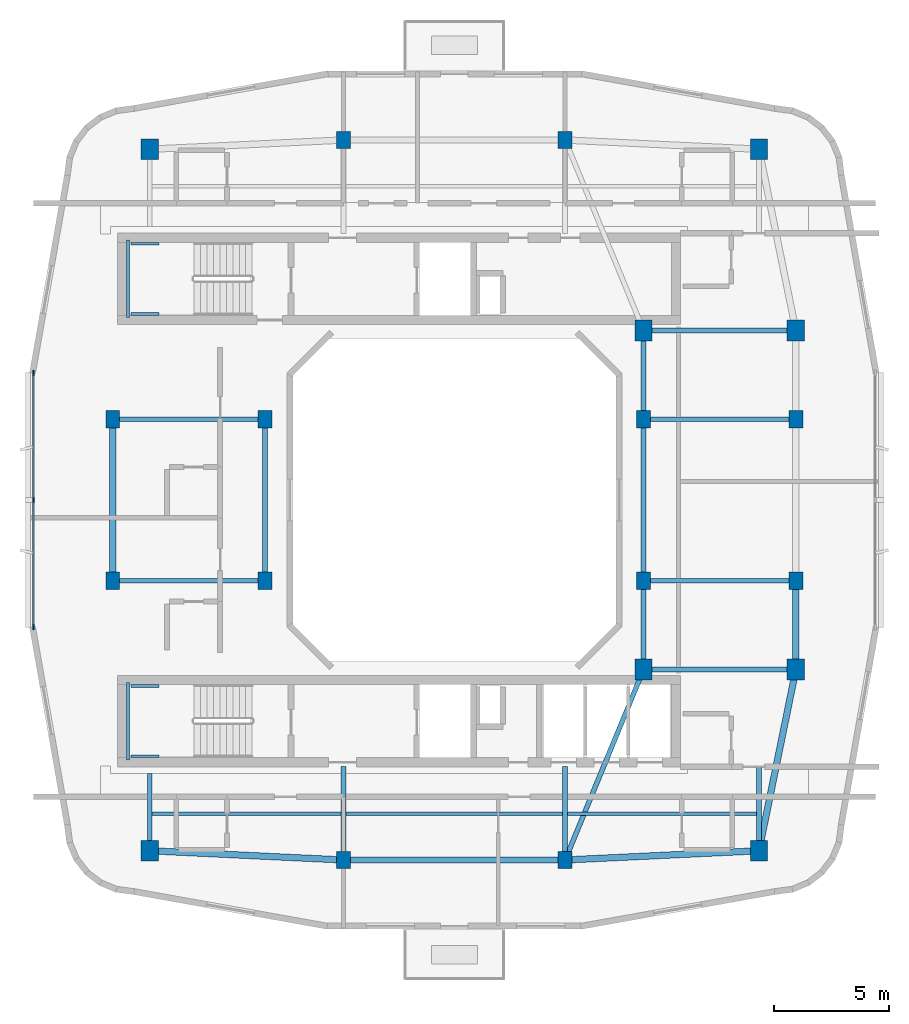
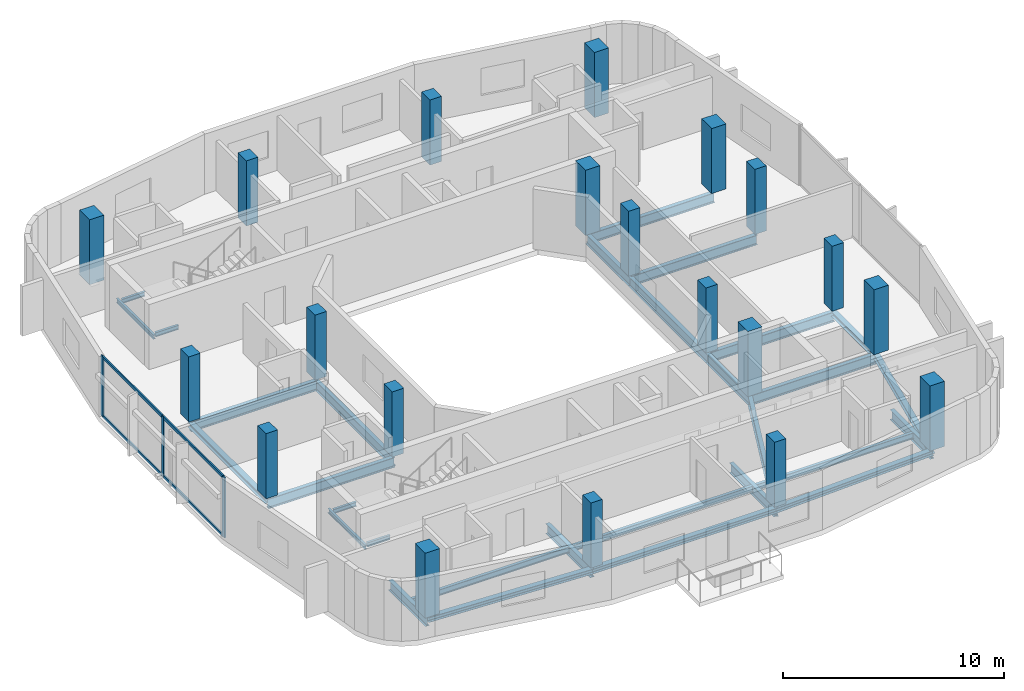
# One storey, part 1 of 10: 30 beams, 20 columns, 7 members, 1 element without a shape of its own.
"""IFC4 building model written with IfcOpenShell, lengths in metres."""

from ifc_helpers import new_model, si_unit, derived_unit, direction, frame, origin, origin_2d, place, context, subcontext, project, spatial, rectangle, i_section, extrude, material, layer, layer_set, material_profile, profile_set, type_object, element, aggregate, save


model = new_model("IFC4")

# Units and contexts
model_context = context("Model", 3, precision=1e-05, world=origin(), true_north=direction((0.0, 1.0)))
body_context = subcontext(model_context, "Body", "Model", "MODEL_VIEW")
ifc_project = project(units=[si_unit("LENGTHUNIT", "METRE"), si_unit("AREAUNIT", "SQUARE_METRE"), si_unit("VOLUMEUNIT", "CUBIC_METRE"), si_unit("PLANEANGLEUNIT", "RADIAN"), si_unit("MASSUNIT", "GRAM", prefix="KILO"), derived_unit("THERMALTRANSMITTANCEUNIT", [(si_unit("POWERUNIT", "WATT"), 1), (si_unit("LENGTHUNIT", "METRE"), -2), (si_unit("THERMODYNAMICTEMPERATUREUNIT", "KELVIN"), -1)])], contexts=[model_context])

# Site, building, storey
site_placement = place(None, origin())
site = spatial("IfcSite", under=ifc_project, at=site_placement, CompositionType="ELEMENT")
building_placement = place(site_placement, origin())
building = spatial("IfcBuilding", under=site, at=building_placement, Name="Kivonza Crest Hotel", CompositionType="ELEMENT")
storey_placement = place(building_placement, frame((0.0, 0.0, 243.199951171875)))
storey = spatial("IfcBuildingStorey", under=building, at=storey_placement, Name="L66", CompositionType="ELEMENT", Elevation=243.199951171875)

# Columns
ifc_material_1 = material(Name="Concrete C50/60", Category="concrete")
ifc_material_profile_1 = material_profile(ifc_material_1, rectangle(XDim=0.60009765625, YDim=0.75, at=origin_2d()), Name="RC 750x600")
ifc_profile_set_1 = profile_set([ifc_material_profile_1], Name="Concrete C50/60")
column_type_1 = type_object("IfcColumnType", Name="CL-RC-750x600", PredefinedType="COLUMN", material=ifc_profile_set_1)
for number, where, z_axis, x_axis, name in (
    (1, (16.199951171875, 9.39990234375, 0.0), (0.0, 0.0, 1.0), (1.0, 0.0, 0.0), "Tower T1 L66 column S1"),
    (2, (25.800048828125, 9.39990234375, 0.0), (0.0, 0.0, 1.0), (1.0, 0.0, 0.0), "Tower T1 L66 column S2"),
    (3, (16.199951171875, 40.60009765625, 0.0), (0.0, 0.0, 1.0), (1.0, 0.0, 0.0), "Tower T1 L66 column N1"),
    (4, (25.800048828125, 40.60009765625, 0.0), (0.0, 0.0, 1.0), (1.0, 0.0, 0.0), "Tower T1 L66 column N2"),
    (5, (6.199951171875, 21.5, 0.0), (0.0, 0.0, 1.0), (1.0, 0.0, 0.0), "Tower T1 L66 column W1"),
    (6, (6.199951171875, 28.5, 0.0), (0.0, 0.0, 1.0), (1.0, 0.0, 0.0), "Tower T1 L66 column W2"),
    (7, (35.800048828125, 21.5, 0.0), (0.0, 0.0, 1.0), (1.0, 0.0, 0.0), "Tower T1 L66 column E1"),
    (8, (35.800048828125, 28.5, 0.0), (0.0, 0.0, 1.0), (1.0, 0.0, 0.0), "Tower T1 L66 column E2"),
    (9, (12.800048828125, 21.5, 0.0), (0.0, 0.0, 1.0), (1.0, 0.0, 0.0), "Tower T1 L66 column WL1"),
    (10, (12.800048828125, 28.5, 0.0), (0.0, 0.0, 1.0), (1.0, 0.0, 0.0), "Tower T1 L66 column WL2"),
    (11, (29.199951171875, 21.5, 0.0), (0.0, 0.0, 1.0), (1.0, 0.0, 0.0), "Tower T1 L66 column WR1"),
    (12, (29.199951171875, 28.5, 0.0), (0.0, 0.0, 1.0), (1.0, 0.0, 0.0), "Tower T1 L66 column WR2"),
):
    element("IfcColumn", number, at=place(storey_placement, frame(where, z_axis=z_axis, x_axis=x_axis)), inside=storey, type_object=column_type_1, Name=name, PredefinedType="COLUMN", context=body_context, shape_type="SweptSolid", body=[
        extrude(rectangle(XDim=0.60009765625, YDim=0.75, at=origin_2d()), origin(), (0.0, 0.0, 1.0), 3.60009765625),
    ])
ifc_material_profile_2 = material_profile(ifc_material_1, rectangle(XDim=0.75, YDim=0.89990234375, at=origin_2d()), Name="RC 900x750")
ifc_profile_set_2 = profile_set([ifc_material_profile_2], Name="Concrete C50/60")
column_type_2 = type_object("IfcColumnType", Name="CL-RC-900x750", PredefinedType="COLUMN", material=ifc_profile_set_2)
for number, where, z_axis, x_axis, name in (
    (13, (7.800048828125, 9.800048828125, 0.0), (0.0, 0.0, 1.0), (1.0, 0.0, 0.0), "Tower T1 L66 column SW"),
    (14, (34.199951171875, 9.800048828125, 0.0), (0.0, 0.0, 1.0), (1.0, 0.0, 0.0), "Tower T1 L66 column SE"),
    (15, (34.199951171875, 40.199951171875, 0.0), (0.0, 0.0, 1.0), (1.0, 0.0, 0.0), "Tower T1 L66 column NE"),
    (16, (7.800048828125, 40.199951171875, 0.0), (0.0, 0.0, 1.0), (1.0, 0.0, 0.0), "Tower T1 L66 column NW"),
    (17, (35.800048828125, 17.64990234375, 0.0), (0.0, 0.0, 1.0), (1.0, 0.0, 0.0), "Tower T1 L66 column PSE"),
    (18, (35.800048828125, 32.35009765625, 0.0), (0.0, 0.0, 1.0), (1.0, 0.0, 0.0), "Tower T1 L66 column PNE"),
    (19, (29.199951171875, 17.64990234375, 0.0), (0.0, 0.0, 1.0), (1.0, 0.0, 0.0), "Tower T1 L66 column TSE"),
    (20, (29.199951171875, 32.35009765625, 0.0), (0.0, 0.0, 1.0), (1.0, 0.0, 0.0), "Tower T1 L66 column TNE"),
):
    element("IfcColumn", number, at=place(storey_placement, frame(where, z_axis=z_axis, x_axis=x_axis)), inside=storey, type_object=column_type_2, Name=name, PredefinedType="COLUMN", context=body_context, shape_type="SweptSolid", body=[
        extrude(rectangle(XDim=0.75, YDim=0.89990234375, at=origin_2d()), origin(), (0.0, 0.0, 1.0), 3.60009765625),
    ])

# Beams
ifc_material_2 = material(Name="Steel S355", Category="steel")
ifc_material_profile_3 = material_profile(ifc_material_2, i_section(OverallWidth=0.280029296875, OverallDepth=0.280029296875, WebThickness=0.010498046875, FlangeThickness=0.01806640625, FilletRadius=0.02392578125, at=origin_2d()), Name="HEB 280")
ifc_profile_set_3 = profile_set([ifc_material_profile_3], Name="Steel S355")
beam_type_1 = type_object("IfcBeamType", Name="BM-HEB280", PredefinedType="SPANDREL", material=ifc_profile_set_3)
beam_1_placement = place(storey_placement, frame((16.199951171875, 9.39990234375, -0.419921875), z_axis=(1.0, 0.0, 0.0), x_axis=(0.0, 1.0, 0.0)))
element("IfcBeam", 21, at=beam_1_placement, inside=storey, type_object=beam_type_1, Name="Tower T1 L66 perimeter spandrel S1-S2", PredefinedType="SPANDREL", context=body_context, shape_type="SweptSolid", body=[
    extrude(i_section(OverallWidth=0.280029296875, OverallDepth=0.280029296875, WebThickness=0.010498046875, FlangeThickness=0.01806640625, FilletRadius=0.02392578125, at=origin_2d()), origin(), (0.0, 0.0, 1.0), 9.60009765625),
])
beam_2_placement = place(storey_placement, frame((25.800048828125, 9.39990234375, -0.419921875), z_axis=(0.998867283688, 0.047583080799, 0.0), x_axis=(-0.047583080799, 0.998867283688, 0.0)))
element("IfcBeam", 22, at=beam_2_placement, inside=storey, type_object=beam_type_1, Name="Tower T1 L66 perimeter spandrel S2-SE", PredefinedType="SPANDREL", context=body_context, shape_type="SweptSolid", body=[
    extrude(i_section(OverallWidth=0.280029296875, OverallDepth=0.280029296875, WebThickness=0.010498046875, FlangeThickness=0.01806640625, FilletRadius=0.02392578125, at=origin_2d()), origin(), (0.0, 0.0, 1.0), 8.409423828125),
])
beam_3_placement = place(storey_placement, frame((34.199951171875, 9.800048828125, -0.419921875), z_axis=(0.199730733965, 0.979850822273, 0.0), x_axis=(-0.979850822273, 0.199730733965, 0.0)))
element("IfcBeam", 23, at=beam_3_placement, inside=storey, type_object=beam_type_1, Name="Tower T1 L66 perimeter spandrel SE-PSE", PredefinedType="SPANDREL", context=body_context, shape_type="SweptSolid", body=[
    extrude(i_section(OverallWidth=0.280029296875, OverallDepth=0.280029296875, WebThickness=0.010498046875, FlangeThickness=0.01806640625, FilletRadius=0.02392578125, at=origin_2d()), origin(), (0.0, 0.0, 1.0), 8.01123046875),
])
beam_4_placement = place(storey_placement, frame((35.800048828125, 17.64990234375, -0.419921875), z_axis=(0.0, 1.0, 0.0), x_axis=(-1.0, 0.0, 0.0)))
element("IfcBeam", 24, at=beam_4_placement, inside=storey, type_object=beam_type_1, Name="Tower T1 L66 perimeter spandrel PSE-E1", PredefinedType="SPANDREL", context=body_context, shape_type="SweptSolid", body=[
    extrude(i_section(OverallWidth=0.280029296875, OverallDepth=0.280029296875, WebThickness=0.010498046875, FlangeThickness=0.01806640625, FilletRadius=0.02392578125, at=origin_2d()), origin(), (0.0, 0.0, 1.0), 3.85009765625),
])
beam_5_placement = place(storey_placement, frame((6.199951171875, 28.5, -0.419921875), z_axis=(0.0, -1.0, 0.0), x_axis=(1.0, 0.0, 0.0)))
element("IfcBeam", 25, at=beam_5_placement, inside=storey, type_object=beam_type_1, Name="Tower T1 L66 perimeter spandrel W2-W1", PredefinedType="SPANDREL", context=body_context, shape_type="SweptSolid", body=[
    extrude(i_section(OverallWidth=0.280029296875, OverallDepth=0.280029296875, WebThickness=0.010498046875, FlangeThickness=0.01806640625, FilletRadius=0.02392578125, at=origin_2d()), origin(), (0.0, 0.0, 1.0), 7.0),
])
beam_6_placement = place(storey_placement, frame((7.800048828125, 9.800048828125, -0.419921875), z_axis=(0.998867283688, -0.047583080799, 0.0), x_axis=(0.047583080799, 0.998867283688, 0.0)))
element("IfcBeam", 26, at=beam_6_placement, inside=storey, type_object=beam_type_1, Name="Tower T1 L66 perimeter spandrel SW-S1", PredefinedType="SPANDREL", context=body_context, shape_type="SweptSolid", body=[
    extrude(i_section(OverallWidth=0.280029296875, OverallDepth=0.280029296875, WebThickness=0.010498046875, FlangeThickness=0.01806640625, FilletRadius=0.02392578125, at=origin_2d()), origin(), (0.0, 0.0, 1.0), 8.409423828125),
])
ifc_material_profile_4 = material_profile(ifc_material_2, i_section(OverallWidth=0.159912109375, OverallDepth=0.330078125, WebThickness=0.007568359375, FlangeThickness=0.011474609375, FilletRadius=0.01806640625, at=origin_2d()), Name="IPE 330")
ifc_profile_set_4 = profile_set([ifc_material_profile_4], Name="Steel S355")
beam_type_2 = type_object("IfcBeamType", Name="BM-IPE330", PredefinedType="JOIST", material=ifc_profile_set_4)
beam_7_placement = place(storey_placement, frame((7.8798828125, 11.39990234375, -0.445068359375), z_axis=(1.0, 0.0, 0.0), x_axis=(0.0, 1.0, 0.0)))
element("IfcBeam", 27, at=beam_7_placement, inside=storey, type_object=beam_type_2, Name="Tower T1 L66 South-West floor joist", PredefinedType="JOIST", context=body_context, shape_type="SweptSolid", body=[
    extrude(i_section(OverallWidth=0.159912109375, OverallDepth=0.330078125, WebThickness=0.007568359375, FlangeThickness=0.011474609375, FilletRadius=0.01806640625, at=origin_2d()), origin(), (0.0, 0.0, 1.0), 8.240234375),
])
beam_8_placement = place(storey_placement, frame((16.280029296875, 11.39990234375, -0.445068359375), z_axis=(1.0, 0.0, 0.0), x_axis=(0.0, 1.0, 0.0)))
element("IfcBeam", 28, at=beam_8_placement, inside=storey, type_object=beam_type_2, Name="Tower T1 L66 South-Mid floor joist", PredefinedType="JOIST", context=body_context, shape_type="SweptSolid", body=[
    extrude(i_section(OverallWidth=0.159912109375, OverallDepth=0.330078125, WebThickness=0.007568359375, FlangeThickness=0.011474609375, FilletRadius=0.01806640625, at=origin_2d()), origin(), (0.0, 0.0, 1.0), 9.43994140625),
])
beam_9_placement = place(storey_placement, frame((25.8798828125, 11.39990234375, -0.445068359375), z_axis=(1.0, 0.0, 0.0), x_axis=(0.0, 1.0, 0.0)))
element("IfcBeam", 29, at=beam_9_placement, inside=storey, type_object=beam_type_2, Name="Tower T1 L66 South-East floor joist", PredefinedType="JOIST", context=body_context, shape_type="SweptSolid", body=[
    extrude(i_section(OverallWidth=0.159912109375, OverallDepth=0.330078125, WebThickness=0.007568359375, FlangeThickness=0.011474609375, FilletRadius=0.01806640625, at=origin_2d()), origin(), (0.0, 0.0, 1.0), 8.240234375),
])
ifc_material_profile_5 = material_profile(ifc_material_2, i_section(OverallWidth=0.2099609375, OverallDepth=0.550048828125, WebThickness=0.010986328125, FlangeThickness=0.01708984375, FilletRadius=0.02392578125, at=origin_2d()), Name="IPE 550")
ifc_profile_set_5 = profile_set([ifc_material_profile_5], Name="Steel S355")
beam_type_3 = type_object("IfcBeamType", Name="BM-IPE550", PredefinedType="BEAM", material=ifc_profile_set_5)
for number, where, z_axis, x_axis, name in (
    (30, (6.199951171875, 21.5, -0.554931640625), (1.0, 0.0, 0.0), (0.0, 1.0, 0.0), "Tower T1 L66 primary girder W1-WL1"),
    (31, (6.199951171875, 28.5, -0.554931640625), (1.0, 0.0, 0.0), (0.0, 1.0, 0.0), "Tower T1 L66 primary girder W2-WL2"),
):
    element("IfcBeam", number, at=place(storey_placement, frame(where, z_axis=z_axis, x_axis=x_axis)), inside=storey, type_object=beam_type_3, Name=name, PredefinedType="BEAM", context=body_context, shape_type="SweptSolid", body=[
        extrude(i_section(OverallWidth=0.2099609375, OverallDepth=0.550048828125, WebThickness=0.010986328125, FlangeThickness=0.01708984375, FilletRadius=0.02392578125, at=origin_2d()), origin(), (0.0, 0.0, 1.0), 6.60009765625),
    ])
beam_10_placement = place(storey_placement, frame((12.800048828125, 21.5, -0.554931640625), z_axis=(0.0, 1.0, 0.0), x_axis=(-1.0, 0.0, 0.0)))
element("IfcBeam", 32, at=beam_10_placement, inside=storey, type_object=beam_type_3, Name="Tower T1 L66 primary girder WL1-WL2", PredefinedType="BEAM", context=body_context, shape_type="SweptSolid", body=[
    extrude(i_section(OverallWidth=0.2099609375, OverallDepth=0.550048828125, WebThickness=0.010986328125, FlangeThickness=0.01708984375, FilletRadius=0.02392578125, at=origin_2d()), origin(), (0.0, 0.0, 1.0), 7.0),
])
beam_11_placement = place(storey_placement, frame((25.800048828125, 9.39990234375, -0.554931640625), z_axis=(0.381022260404, 0.924565864109, 0.0), x_axis=(-0.924565864109, 0.381022260404, 0.0)))
element("IfcBeam", 33, at=beam_11_placement, inside=storey, type_object=beam_type_3, Name="Tower T1 L66 primary girder S1-TSE", PredefinedType="BEAM", context=body_context, shape_type="SweptSolid", body=[
    extrude(i_section(OverallWidth=0.2099609375, OverallDepth=0.550048828125, WebThickness=0.010986328125, FlangeThickness=0.01708984375, FilletRadius=0.02392578125, at=origin_2d()), origin(), (0.0, 0.0, 1.0), 8.923095703125),
])
for number, where, z_axis, x_axis, name in (
    (34, (29.199951171875, 17.64990234375, -0.554931640625), (1.0, 0.0, 0.0), (0.0, 1.0, 0.0), "Tower T1 L66 primary girder TSE-PSE"),
    (35, (29.199951171875, 32.35009765625, -0.554931640625), (1.0, 0.0, 0.0), (0.0, 1.0, 0.0), "Tower T1 L66 primary girder TNE-PNE"),
):
    element("IfcBeam", number, at=place(storey_placement, frame(where, z_axis=z_axis, x_axis=x_axis)), inside=storey, type_object=beam_type_3, Name=name, PredefinedType="BEAM", context=body_context, shape_type="SweptSolid", body=[
        extrude(i_section(OverallWidth=0.2099609375, OverallDepth=0.550048828125, WebThickness=0.010986328125, FlangeThickness=0.01708984375, FilletRadius=0.02392578125, at=origin_2d()), origin(), (0.0, 0.0, 1.0), 6.60009765625),
    ])
beam_12_placement = place(storey_placement, frame((29.199951171875, 21.5, -0.554931640625), z_axis=(0.0, 1.0, 0.0), x_axis=(-1.0, 0.0, 0.0)))
element("IfcBeam", 36, at=beam_12_placement, inside=storey, type_object=beam_type_3, Name="Tower T1 L66 primary girder WR1-WR2", PredefinedType="BEAM", context=body_context, shape_type="SweptSolid", body=[
    extrude(i_section(OverallWidth=0.2099609375, OverallDepth=0.550048828125, WebThickness=0.010986328125, FlangeThickness=0.01708984375, FilletRadius=0.02392578125, at=origin_2d()), origin(), (0.0, 0.0, 1.0), 7.0),
])
for number, where, z_axis, x_axis, name in (
    (37, (29.199951171875, 17.64990234375, -0.554931640625), (0.0, 1.0, 0.0), (-1.0, 0.0, 0.0), "Tower T1 L66 primary girder TSE-WR1"),
    (38, (29.199951171875, 28.5, -0.554931640625), (0.0, 1.0, 0.0), (-1.0, 0.0, 0.0), "Tower T1 L66 primary girder WR2-TNE"),
):
    element("IfcBeam", number, at=place(storey_placement, frame(where, z_axis=z_axis, x_axis=x_axis)), inside=storey, type_object=beam_type_3, Name=name, PredefinedType="BEAM", context=body_context, shape_type="SweptSolid", body=[
        extrude(i_section(OverallWidth=0.2099609375, OverallDepth=0.550048828125, WebThickness=0.010986328125, FlangeThickness=0.01708984375, FilletRadius=0.02392578125, at=origin_2d()), origin(), (0.0, 0.0, 1.0), 3.85009765625),
    ])
for number, where, z_axis, x_axis, name in (
    (39, (29.199951171875, 21.5, -0.554931640625), (1.0, 0.0, 0.0), (0.0, 1.0, 0.0), "Tower T1 L66 primary girder WR1-E1"),
    (40, (29.199951171875, 28.5, -0.554931640625), (1.0, 0.0, 0.0), (0.0, 1.0, 0.0), "Tower T1 L66 primary girder WR2-E2"),
):
    element("IfcBeam", number, at=place(storey_placement, frame(where, z_axis=z_axis, x_axis=x_axis)), inside=storey, type_object=beam_type_3, Name=name, PredefinedType="BEAM", context=body_context, shape_type="SweptSolid", body=[
        extrude(i_section(OverallWidth=0.2099609375, OverallDepth=0.550048828125, WebThickness=0.010986328125, FlangeThickness=0.01708984375, FilletRadius=0.02392578125, at=origin_2d()), origin(), (0.0, 0.0, 1.0), 6.60009765625),
    ])
beam_13_placement = place(storey_placement, frame((7.800048828125, 9.800048828125, -0.554931640625), z_axis=(0.0, 1.0, 0.0), x_axis=(-1.0, 0.0, 0.0)))
element("IfcBeam", 41, at=beam_13_placement, inside=storey, type_object=beam_type_3, Name="Tower T1 L66 radial core girder RSW", PredefinedType="BEAM", context=body_context, shape_type="SweptSolid", body=[
    extrude(i_section(OverallWidth=0.2099609375, OverallDepth=0.550048828125, WebThickness=0.010986328125, FlangeThickness=0.01708984375, FilletRadius=0.02392578125, at=origin_2d()), origin(), (0.0, 0.0, 1.0), 3.349853515625),
])
for number, where, z_axis, x_axis, name in (
    (42, (16.199951171875, 9.39990234375, -0.554931640625), (0.0, 1.0, 0.0), (-1.0, 0.0, 0.0), "Tower T1 L66 radial core girder RS1"),
    (43, (25.800048828125, 9.39990234375, -0.554931640625), (0.0, 1.0, 0.0), (-1.0, 0.0, 0.0), "Tower T1 L66 radial core girder RS2"),
):
    element("IfcBeam", number, at=place(storey_placement, frame(where, z_axis=z_axis, x_axis=x_axis)), inside=storey, type_object=beam_type_3, Name=name, PredefinedType="BEAM", context=body_context, shape_type="SweptSolid", body=[
        extrude(i_section(OverallWidth=0.2099609375, OverallDepth=0.550048828125, WebThickness=0.010986328125, FlangeThickness=0.01708984375, FilletRadius=0.02392578125, at=origin_2d()), origin(), (0.0, 0.0, 1.0), 4.050048828125),
    ])
beam_14_placement = place(storey_placement, frame((34.199951171875, 9.800048828125, -0.554931640625), z_axis=(0.0, 1.0, 0.0), x_axis=(-1.0, 0.0, 0.0)))
element("IfcBeam", 44, at=beam_14_placement, inside=storey, type_object=beam_type_3, Name="Tower T1 L66 radial core girder RSE", PredefinedType="BEAM", context=body_context, shape_type="SweptSolid", body=[
    extrude(i_section(OverallWidth=0.2099609375, OverallDepth=0.550048828125, WebThickness=0.010986328125, FlangeThickness=0.01708984375, FilletRadius=0.02392578125, at=origin_2d()), origin(), (0.0, 0.0, 1.0), 3.64990234375),
])
ifc_material_profile_6 = material_profile(ifc_material_2, i_section(OverallWidth=0.1201171875, OverallDepth=0.239990234375, WebThickness=0.006103515625, FlangeThickness=0.009765625, FilletRadius=0.014892578125, at=origin_2d()), Name="IPE 240")
ifc_profile_set_6 = profile_set([ifc_material_profile_6], Name="Steel S355")
beam_type_4 = type_object("IfcBeamType", Name="BM-LLDG-240", PredefinedType="BEAM", material=ifc_profile_set_6)
beam_15_placement = place(storey_placement, frame((6.860107421875, 32.89990234375, 1.47998046875), z_axis=(0.0, 1.0, 0.0), x_axis=(-1.0, 0.0, 0.0)))
element("IfcBeam", 45, at=beam_15_placement, inside=storey, type_object=beam_type_4, Name="Stair ST-T1-N L66 West landing corbel", PredefinedType="BEAM", context=body_context, shape_type="SweptSolid", body=[
    extrude(i_section(OverallWidth=0.1201171875, OverallDepth=0.239990234375, WebThickness=0.006103515625, FlangeThickness=0.009765625, FilletRadius=0.014892578125, at=origin_2d()), origin(), (0.0, 0.0, 1.0), 3.360107421875),
])
for number, where, z_axis, x_axis, name in (
    (46, (6.989990234375, 33.06005859375, 1.47998046875), (1.0, 0.0, 0.0), (0.0, 1.0, 0.0), "Stair ST-T1-N L66 South landing corbel"),
    (47, (6.989990234375, 36.10009765625, 1.47998046875), (1.0, 0.0, 0.0), (0.0, 1.0, 0.0), "Stair ST-T1-N L66 North landing corbel"),
):
    element("IfcBeam", number, at=place(storey_placement, frame(where, z_axis=z_axis, x_axis=x_axis)), inside=storey, type_object=beam_type_4, Name=name, PredefinedType="BEAM", context=body_context, shape_type="SweptSolid", body=[
        extrude(i_section(OverallWidth=0.1201171875, OverallDepth=0.239990234375, WebThickness=0.006103515625, FlangeThickness=0.009765625, FilletRadius=0.014892578125, at=origin_2d()), origin(), (0.0, 0.0, 1.0), 1.2099609375),
    ])
beam_16_placement = place(storey_placement, frame((6.860107421875, 13.739990234375, 1.47998046875), z_axis=(0.0, 1.0, 0.0), x_axis=(-1.0, 0.0, 0.0)))
element("IfcBeam", 48, at=beam_16_placement, inside=storey, type_object=beam_type_4, Name="Stair ST-T1-S L66 West landing corbel", PredefinedType="BEAM", context=body_context, shape_type="SweptSolid", body=[
    extrude(i_section(OverallWidth=0.1201171875, OverallDepth=0.239990234375, WebThickness=0.006103515625, FlangeThickness=0.009765625, FilletRadius=0.014892578125, at=origin_2d()), origin(), (0.0, 0.0, 1.0), 3.360107421875),
])
for number, where, z_axis, x_axis, name in (
    (49, (6.989990234375, 13.89990234375, 1.47998046875), (1.0, 0.0, 0.0), (0.0, 1.0, 0.0), "Stair ST-T1-S L66 South landing corbel"),
    (50, (6.989990234375, 16.93994140625, 1.47998046875), (1.0, 0.0, 0.0), (0.0, 1.0, 0.0), "Stair ST-T1-S L66 North landing corbel"),
):
    element("IfcBeam", number, at=place(storey_placement, frame(where, z_axis=z_axis, x_axis=x_axis)), inside=storey, type_object=beam_type_4, Name=name, PredefinedType="BEAM", context=body_context, shape_type="SweptSolid", body=[
        extrude(i_section(OverallWidth=0.1201171875, OverallDepth=0.239990234375, WebThickness=0.006103515625, FlangeThickness=0.009765625, FilletRadius=0.014892578125, at=origin_2d()), origin(), (0.0, 0.0, 1.0), 1.2099609375),
    ])

# Curtain wall, members
ifc_material_3 = material(Name="Anodised bronze aluminium and low-E double glazing", Category="aluminium")
ifc_layer = layer(ifc_material_3, 0.179931640625)
ifc_layer_set = layer_set([ifc_layer], Name="Anodised bronze aluminium and low-E double glazing")
curtain_wall_type = type_object("IfcCurtainWallType", Name="CW-SYS-3", PredefinedType="NOTDEFINED", material=ifc_layer_set)
curtain_wall_placement = place(storey_placement, origin())
curtain_wall = element("IfcCurtainWall", 51, at=curtain_wall_placement, inside=storey, type_object=curtain_wall_type, Name="L66 unitised curtain wall CW-T1-L66-35", PredefinedType="NOTDEFINED")
ifc_material_4 = material(Name="Anodised bronze aluminium", Category="aluminium")
ifc_material_profile_7 = material_profile(ifc_material_4, rectangle(XDim=0.074951171875, YDim=0.219970703125, at=origin_2d()), Name="CW-M 75x220")
ifc_profile_set_7 = profile_set([ifc_material_profile_7], Name="Anodised bronze aluminium")
member_type_1 = type_object("IfcMemberType", Name="CW-MUL-75x220", PredefinedType="MULLION", material=ifc_profile_set_7)
member_1_placement = place(storey_placement, frame((2.760009765625, 30.50244140625, 0.0), z_axis=(0.0, 0.0, 1.0), x_axis=(1.0, 0.0, 0.0)))
member_1 = element("IfcMember", 52, at=member_1_placement, type_object=member_type_1, Name="CW-3 mullion 1", PredefinedType="MULLION", context=body_context, shape_type="SweptSolid", body=[
    extrude(rectangle(XDim=0.074951171875, YDim=0.219970703125, at=origin_2d()), origin(), (0.0, 0.0, 1.0), 3.320068359375),
])
member_2_placement = place(storey_placement, frame((2.760009765625, 25.0, 0.0), z_axis=(0.0, 0.0, 1.0), x_axis=(1.0, 0.0, 0.0)))
member_2 = element("IfcMember", 53, at=member_2_placement, type_object=member_type_1, Name="CW-3 mullion 2", PredefinedType="MULLION", context=body_context, shape_type="SweptSolid", body=[
    extrude(rectangle(XDim=0.074951171875, YDim=0.219970703125, at=origin_2d()), origin(), (0.0, 0.0, 1.0), 3.320068359375),
])
member_3_placement = place(storey_placement, frame((2.760009765625, 19.49755859375, 0.0), z_axis=(0.0, 0.0, 1.0), x_axis=(1.0, 0.0, 0.0)))
member_3 = element("IfcMember", 54, at=member_3_placement, type_object=member_type_1, Name="CW-3 mullion 3", PredefinedType="MULLION", context=body_context, shape_type="SweptSolid", body=[
    extrude(rectangle(XDim=0.074951171875, YDim=0.219970703125, at=origin_2d()), origin(), (0.0, 0.0, 1.0), 3.320068359375),
])
ifc_material_profile_8 = material_profile(ifc_material_4, rectangle(XDim=0.074951171875, YDim=0.159912109375, at=origin_2d()), Name="CW-T 75x160")
ifc_profile_set_8 = profile_set([ifc_material_profile_8], Name="Anodised bronze aluminium")
member_type_2 = type_object("IfcMemberType", Name="CW-TRN-75x160", PredefinedType="USERDEFINED", material=ifc_profile_set_8)
member_4_placement = place(storey_placement, frame((2.760009765625, 30.465087890625, 0.03759765625), z_axis=(0.0, -1.0, 0.0), x_axis=(1.0, 0.0, 0.0)))
member_4 = element("IfcMember", 55, at=member_4_placement, type_object=member_type_2, Name="CW-3 transom 1.1", ObjectType="TRANSOM", PredefinedType="USERDEFINED", context=body_context, shape_type="SweptSolid", body=[
    extrude(rectangle(XDim=0.074951171875, YDim=0.159912109375, at=origin_2d()), origin(), (0.0, 0.0, 1.0), 5.427490234375),
])
member_5_placement = place(storey_placement, frame((2.760009765625, 30.465087890625, 3.282470703125), z_axis=(0.0, -1.0, 0.0), x_axis=(1.0, 0.0, 0.0)))
member_5 = element("IfcMember", 56, at=member_5_placement, type_object=member_type_2, Name="CW-3 transom 1.2", ObjectType="TRANSOM", PredefinedType="USERDEFINED", context=body_context, shape_type="SweptSolid", body=[
    extrude(rectangle(XDim=0.074951171875, YDim=0.159912109375, at=origin_2d()), origin(), (0.0, 0.0, 1.0), 5.427490234375),
])
member_6_placement = place(storey_placement, frame((2.760009765625, 24.96240234375, 0.03759765625), z_axis=(0.0, -1.0, 0.0), x_axis=(1.0, 0.0, 0.0)))
member_6 = element("IfcMember", 57, at=member_6_placement, type_object=member_type_2, Name="CW-3 transom 2.1", ObjectType="TRANSOM", PredefinedType="USERDEFINED", context=body_context, shape_type="SweptSolid", body=[
    extrude(rectangle(XDim=0.074951171875, YDim=0.159912109375, at=origin_2d()), origin(), (0.0, 0.0, 1.0), 5.427490234375),
])
member_7_placement = place(storey_placement, frame((2.760009765625, 24.96240234375, 3.282470703125), z_axis=(0.0, -1.0, 0.0), x_axis=(1.0, 0.0, 0.0)))
member_7 = element("IfcMember", 58, at=member_7_placement, type_object=member_type_2, Name="CW-3 transom 2.2", ObjectType="TRANSOM", PredefinedType="USERDEFINED", context=body_context, shape_type="SweptSolid", body=[
    extrude(rectangle(XDim=0.074951171875, YDim=0.159912109375, at=origin_2d()), origin(), (0.0, 0.0, 1.0), 5.427490234375),
])
aggregate(curtain_wall, [member_1, member_2, member_3, member_4, member_5, member_6, member_7])

save(model, "model.ifc")
